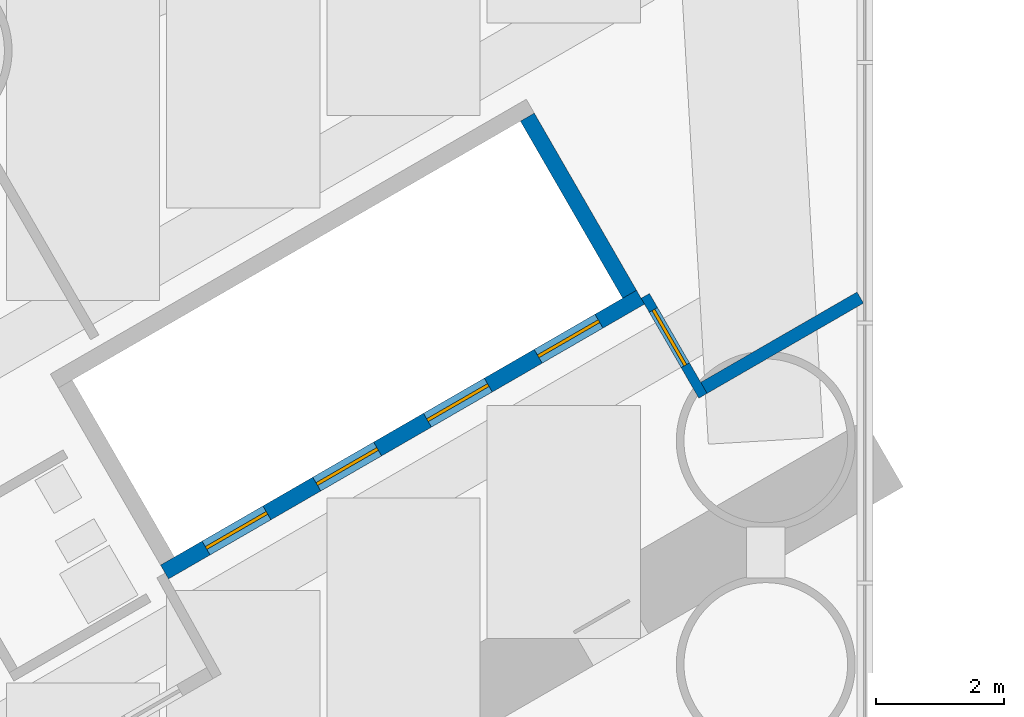
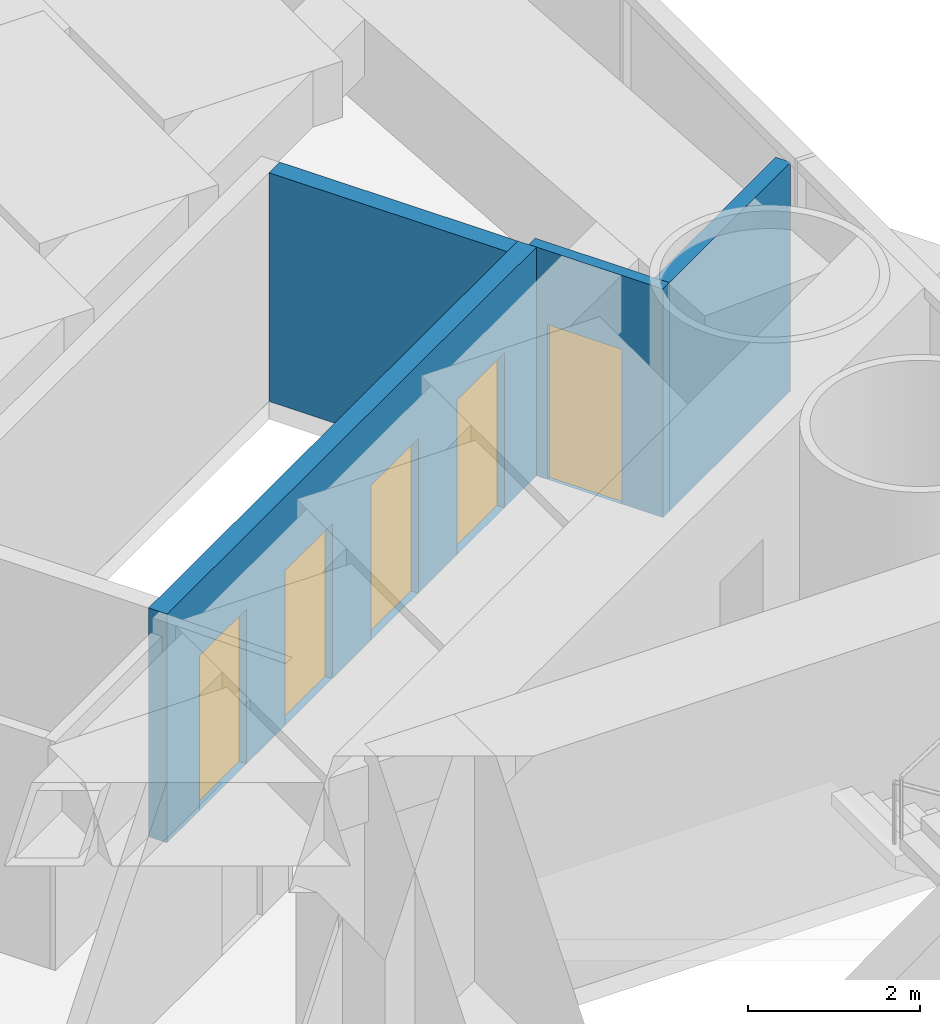
# One storey, part 13 of 19: 5 doors, 4 walls, 5 openings.
"""IFC4 building model written with IfcOpenShell, lengths in metres."""

from ifc_helpers import new_model, si_unit, direction, frame, frame_2d, origin, place, context, subcontext, project, spatial, rectangle, extrude, material, layer, layer_set, type_object, element, fill, save


model = new_model("IFC4")

# Units and contexts
model_context = context("Model", 3, precision=1e-05, world=origin(), true_north=direction((0.0, 1.0)))
body_context = subcontext(model_context, "Body", "Model", "MODEL_VIEW")
ifc_project = project(units=[si_unit("LENGTHUNIT", "METRE"), si_unit("AREAUNIT", "SQUARE_METRE"), si_unit("VOLUMEUNIT", "CUBIC_METRE"), si_unit("PLANEANGLEUNIT", "RADIAN"), si_unit("MASSUNIT", "GRAM", prefix="KILO")], contexts=[model_context])

# Site, building, storey
site_placement = place(None, origin())
site = spatial("IfcSite", under=ifc_project, at=site_placement, CompositionType="ELEMENT")
building_placement = place(site_placement, origin())
building = spatial("IfcBuilding", under=site, at=building_placement, Name="Lancet Gate Hotel", CompositionType="ELEMENT")
storey_placement = place(building_placement, frame((0.0, 0.0, 70.5)))
storey = spatial("IfcBuildingStorey", under=building, at=storey_placement, Name="L18", CompositionType="ELEMENT", Elevation=70.5)

# Wall
ifc_material_1 = material(Name="Gypsum board partition")
ifc_layer_1 = layer(ifc_material_1, 0.199951171875)
ifc_layer_set_1 = layer_set([ifc_layer_1], Name="Corridor wall 200")
wall_type_1 = type_object("IfcWallType", Name="Corridor wall 200", PredefinedType="PARTITIONING", material=ifc_layer_set_1)
wall_1_placement = place(storey_placement, frame((-27.572021484375, 16.740966796875, 0.0), z_axis=(0.0, 0.0, 1.0), x_axis=(-0.866034618596, -0.499984039138, 0.0)))
element("IfcWall", 1, at=wall_1_placement, inside=storey, type_object=wall_type_1, Name="T1 corridor wall 200 L18", PredefinedType="PARTITIONING", context=body_context, shape_type="SweptSolid", body=[
    extrude(rectangle(XDim=2.8544921875, YDim=0.199951171875, at=frame_2d((1.42724609375, 0.0))), origin(), (0.0, 0.0, 1.0), 3.25),
])

# Wall, openings, doors
ifc_material_2 = material(Name="Gypsum board partition")
ifc_layer_2 = layer(ifc_material_2, 0.25)
ifc_layer_set_2 = layer_set([ifc_layer_2], Name="Lift shaft partition 250")
wall_type_2 = type_object("IfcWallType", Name="Lift shaft partition 250", PredefinedType="PARTITIONING", material=ifc_layer_set_2)
wall_2_placement = place(storey_placement, frame((-31.010498046875, 16.747314453125, 0.0), z_axis=(0.0, 0.0, 1.0), x_axis=(-0.866028165386, -0.499995216735, 0.0)))
wall_2 = element("IfcWall", 2, at=wall_2_placement, inside=storey, type_object=wall_type_2, Name="T1 lift shaft wall LR L18", PredefinedType="PARTITIONING", context=body_context, shape_type="SweptSolid", body=[
    extrude(rectangle(XDim=8.60009765625, YDim=0.25, at=frame_2d((4.300048828125, 0.0))), origin(), (0.0, 0.0, 1.0), 3.25),
])
opening_1_placement = place(wall_2_placement, frame((0.75, 0.0, 0.0)))
opening_1 = element("IfcOpeningElement", 3, at=opening_1_placement, cuts=wall_2, Name="Opening T1-LR1-L18", PredefinedType="OPENING", context=body_context, shape_type="SweptSolid", body=[
    extrude(rectangle(XDim=1.10009765625, YDim=2.199951171875, at=frame_2d((0.550048828125, 1.10009765625))), frame((0.0, 0.135009765625, 0.0), z_axis=(0.0, -1.0, 0.0), x_axis=(1.0, 0.0, 0.0)), (0.0, 0.0, 1.0), 0.27001953125),
])
opening_2_placement = place(wall_2_placement, frame((2.75, 0.0, 0.0)))
opening_2 = element("IfcOpeningElement", 4, at=opening_2_placement, cuts=wall_2, Name="Opening T1-LR2-L18", PredefinedType="OPENING", context=body_context, shape_type="SweptSolid", body=[
    extrude(rectangle(XDim=1.10009765625, YDim=2.199951171875, at=frame_2d((0.550048828125, 1.10009765625))), frame((0.0, 0.135009765625, 0.0), z_axis=(0.0, -1.0, 0.0), x_axis=(1.0, 0.0, 0.0)), (0.0, 0.0, 1.0), 0.27001953125),
])
opening_3_placement = place(wall_2_placement, frame((4.75, 0.0, 0.0)))
opening_3 = element("IfcOpeningElement", 5, at=opening_3_placement, cuts=wall_2, Name="Opening T1-LR3-L18", PredefinedType="OPENING", context=body_context, shape_type="SweptSolid", body=[
    extrude(rectangle(XDim=1.10009765625, YDim=2.199951171875, at=frame_2d((0.550048828125, 1.10009765625))), frame((0.0, 0.135009765625, 0.0), z_axis=(0.0, -1.0, 0.0), x_axis=(1.0, 0.0, 0.0)), (0.0, 0.0, 1.0), 0.27001953125),
])
opening_4_placement = place(wall_2_placement, frame((6.75, 0.0, 0.0)))
opening_4 = element("IfcOpeningElement", 6, at=opening_4_placement, cuts=wall_2, Name="Opening T1-LR4-L18", PredefinedType="OPENING", context=body_context, shape_type="SweptSolid", body=[
    extrude(rectangle(XDim=1.10009765625, YDim=2.199951171875, at=frame_2d((0.550048828125, 1.10009765625))), frame((0.0, 0.135009765625, 0.0), z_axis=(0.0, -1.0, 0.0), x_axis=(1.0, 0.0, 0.0)), (0.0, 0.0, 1.0), 0.27001953125),
])
ifc_material_3 = material(Name="Steel door set", Category="steel")
door_type_1 = type_object("IfcDoorType", Name="Lift landing door 1100", OperationType="DOUBLE_DOOR_SLIDING", PredefinedType="USERDEFINED", material=ifc_material_3)
door_1_placement = place(opening_1_placement, origin())
door_1 = element("IfcDoor", 7, at=door_1_placement, inside=storey, type_object=door_type_1, Name="T1-LR1-L18", ObjectType="LIFT LANDING DOOR", OperationType="DOUBLE_DOOR_SLIDING", OverallHeight=2.199951171875, OverallWidth=1.10009765625, PredefinedType="USERDEFINED", context=body_context, shape_type="SweptSolid", body=[
    extrude(rectangle(XDim=1.10009765625, YDim=2.199951171875, at=frame_2d((0.550048828125, 1.10009765625))), frame((0.0, 0.02490234375, 0.0), z_axis=(0.0, -1.0, 0.0), x_axis=(1.0, 0.0, 0.0)), (0.0, 0.0, 1.0), 0.050048828125),
])
fill(opening_1, door_1)
door_2_placement = place(opening_2_placement, origin())
door_2 = element("IfcDoor", 8, at=door_2_placement, inside=storey, type_object=door_type_1, Name="T1-LR2-L18", ObjectType="LIFT LANDING DOOR", OperationType="DOUBLE_DOOR_SLIDING", OverallHeight=2.199951171875, OverallWidth=1.10009765625, PredefinedType="USERDEFINED", context=body_context, shape_type="SweptSolid", body=[
    extrude(rectangle(XDim=1.10009765625, YDim=2.199951171875, at=frame_2d((0.550048828125, 1.10009765625))), frame((0.0, 0.02490234375, 0.0), z_axis=(0.0, -1.0, 0.0), x_axis=(1.0, 0.0, 0.0)), (0.0, 0.0, 1.0), 0.050048828125),
])
fill(opening_2, door_2)
door_3_placement = place(opening_3_placement, origin())
door_3 = element("IfcDoor", 9, at=door_3_placement, inside=storey, type_object=door_type_1, Name="T1-LR3-L18", ObjectType="LIFT LANDING DOOR", OperationType="DOUBLE_DOOR_SLIDING", OverallHeight=2.199951171875, OverallWidth=1.10009765625, PredefinedType="USERDEFINED", context=body_context, shape_type="SweptSolid", body=[
    extrude(rectangle(XDim=1.10009765625, YDim=2.199951171875, at=frame_2d((0.550048828125, 1.10009765625))), frame((0.0, 0.02490234375, 0.0), z_axis=(0.0, -1.0, 0.0), x_axis=(1.0, 0.0, 0.0)), (0.0, 0.0, 1.0), 0.050048828125),
])
fill(opening_3, door_3)
door_4_placement = place(opening_4_placement, origin())
door_4 = element("IfcDoor", 10, at=door_4_placement, inside=storey, type_object=door_type_1, Name="T1-LR4-L18", ObjectType="LIFT LANDING DOOR", OperationType="DOUBLE_DOOR_SLIDING", OverallHeight=2.199951171875, OverallWidth=1.10009765625, PredefinedType="USERDEFINED", context=body_context, shape_type="SweptSolid", body=[
    extrude(rectangle(XDim=1.10009765625, YDim=2.199951171875, at=frame_2d((0.550048828125, 1.10009765625))), frame((0.0, 0.02490234375, 0.0), z_axis=(0.0, -1.0, 0.0), x_axis=(1.0, 0.0, 0.0)), (0.0, 0.0, 1.0), 0.050048828125),
])
fill(opening_4, door_4)

# Wall
wall_3_placement = place(storey_placement, frame((-31.18115234375, 16.79296875, 0.0), z_axis=(0.0, 0.0, 1.0), x_axis=(-0.499929347863, 0.866066190972, 0.0)))
element("IfcWall", 11, at=wall_3_placement, inside=storey, type_object=wall_type_2, Name="T1 lift shaft wall LR L18", PredefinedType="PARTITIONING", context=body_context, shape_type="SweptSolid", body=[
    extrude(rectangle(XDim=3.20068359375, YDim=0.25, at=frame_2d((1.600341796875, 0.0))), origin(), (0.0, 0.0, 1.0), 3.25),
])

# Wall, opening, door
ifc_material_4 = material(Name="Gypsum board partition")
ifc_layer_3 = layer(ifc_material_4, 0.14990234375)
ifc_layer_set_3 = layer_set([ifc_layer_3], Name="Service room wall 150")
wall_type_3 = type_object("IfcWallType", Name="Service room wall 150", PredefinedType="PARTITIONING", material=ifc_layer_set_3)
wall_4_placement = place(storey_placement, frame((-30.033203125, 15.20458984375, 0.0), z_axis=(0.0, 0.0, 1.0), x_axis=(-0.499980071345, 0.866036909293, 0.0)))
wall_4 = element("IfcWall", 12, at=wall_4_placement, inside=storey, type_object=wall_type_3, Name="T1 service room wall 150 L18", PredefinedType="PARTITIONING", context=body_context, shape_type="SweptSolid", body=[
    extrude(rectangle(XDim=1.8046875, YDim=0.14990234375, at=frame_2d((0.90234375, 0.0))), origin(), (0.0, 0.0, 1.0), 3.25),
])
opening_5_placement = place(wall_4_placement, frame((0.552001953125, 0.0, 0.0)))
opening_5 = element("IfcOpeningElement", 13, at=opening_5_placement, cuts=wall_4, Name="Opening T1-L18-LO1", PredefinedType="OPENING", context=body_context, shape_type="SweptSolid", body=[
    extrude(rectangle(XDim=1.0, YDim=2.199951171875, at=frame_2d((0.5, 1.10009765625))), frame((0.0, 0.0849609375, 0.0), z_axis=(0.0, -1.0, 0.0), x_axis=(1.0, 0.0, 0.0)), (0.0, 0.0, 1.0), 0.169921875),
])
ifc_material_5 = material(Name="Timber door set", Category="wood")
door_type_2 = type_object("IfcDoorType", Name="Service door 1000", OperationType="SINGLE_SWING_LEFT", PredefinedType="DOOR", material=ifc_material_5)
door_5_placement = place(opening_5_placement, origin())
door_5 = element("IfcDoor", 14, at=door_5_placement, inside=storey, type_object=door_type_2, Name="T1-L18-LO1", OperationType="SINGLE_SWING_LEFT", OverallHeight=2.199951171875, OverallWidth=1.0, PredefinedType="DOOR", context=body_context, shape_type="SweptSolid", body=[
    extrude(rectangle(XDim=1.0, YDim=2.199951171875, at=frame_2d((0.5, 1.10009765625))), frame((0.0, 0.02490234375, 0.0), z_axis=(0.0, -1.0, 0.0), x_axis=(1.0, 0.0, 0.0)), (0.0, 0.0, 1.0), 0.050048828125),
])
fill(opening_5, door_5)

save(model, "model.ifc")
